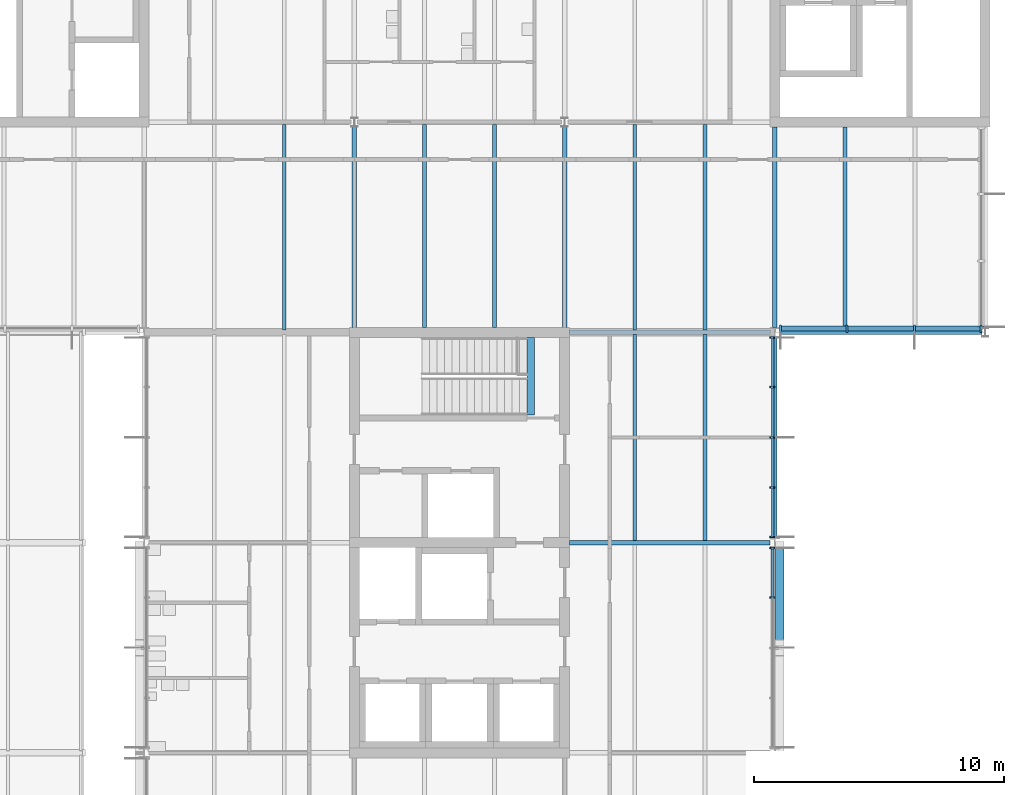
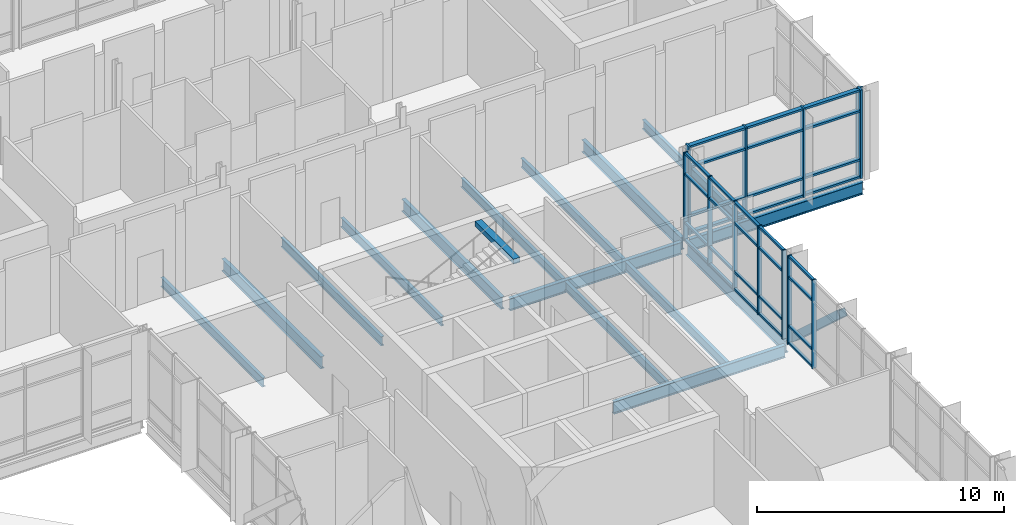
# One storey, part 20 of 76: 45 members, 16 beams, 4 elements without a shape of their own.
"""IFC4 building model written with IfcOpenShell, lengths in metres."""

from ifc_helpers import new_model, si_unit, direction, frame, origin, origin_2d, place, context, subcontext, project, spatial, rectangle, hollow_rectangle, i_section, extrude, material, material_profile, profile_set, type_object, element, aggregate, save


model = new_model("IFC4")

# Units and contexts
model_context = context("Model", 3, precision=1e-05, world=origin(), true_north=direction((0.0, 1.0)))
body_context = subcontext(model_context, "Body", "Model", "MODEL_VIEW")
ifc_project = project(units=[si_unit("LENGTHUNIT", "METRE"), si_unit("AREAUNIT", "SQUARE_METRE"), si_unit("VOLUMEUNIT", "CUBIC_METRE"), si_unit("PLANEANGLEUNIT", "RADIAN"), si_unit("MASSUNIT", "GRAM", prefix="KILO")], contexts=[model_context])

# Site, building, storey
site_placement = place(None, origin())
site = spatial("IfcSite", under=ifc_project, at=site_placement, CompositionType="ELEMENT")
building_placement = place(site_placement, origin())
building = spatial("IfcBuilding", under=site, at=building_placement, Name="Hlaing Beacon Police Headquarters", CompositionType="ELEMENT")
storey_placement = place(building_placement, frame((0.0, 0.0, 18.89990234375)))
storey = spatial("IfcBuildingStorey", under=building, at=storey_placement, Name="L04", CompositionType="ELEMENT", Elevation=18.89990234375)

# Member
ifc_material_1 = material(Name="Steel ASTM A500 Grade C", Category="steel")
ifc_material_profile_1 = material_profile(ifc_material_1, hollow_rectangle(XDim=0.355712890625, YDim=0.355712890625, WallThickness=0.015869140625, at=origin_2d()), Name="HSS14x14x5/8")
ifc_profile_set_1 = profile_set([ifc_material_profile_1], Name="Steel ASTM A500 Grade C")
member_type_1 = type_object("IfcMemberType", Name="Chevron brace HSS14x14x5/8", PredefinedType="BRACE", material=ifc_profile_set_1)
member_1_placement = place(storey_placement, frame((126.181884765625, 58.72705078125, 0.131103515625), z_axis=(0.0, -0.738446730342, 0.674311816927), x_axis=(1.0, 0.0, 0.0)))
element("IfcMember", 1, at=member_1_placement, inside=storey, type_object=member_type_1, Name="STR-BR-L04-R7b", PredefinedType="BRACE", context=body_context, shape_type="SweptSolid", body=[
    extrude(hollow_rectangle(XDim=0.355712890625, YDim=0.355712890625, WallThickness=0.015869140625, at=origin_2d()), origin(), (0.0, 0.0, 1.0), 5.31787109375),
])

# Beams
ifc_material_2 = material(Name="Steel ASTM A992 Grade 50", Category="steel")
ifc_material_profile_2 = material_profile(ifc_material_2, i_section(OverallWidth=0.177978515625, OverallDepth=0.599365234375, WebThickness=0.010009765625, FlangeThickness=0.012939453125, FilletRadius=0.012939453125, at=origin_2d()), Name="W24x55")
ifc_profile_set_2 = profile_set([ifc_material_profile_2], Name="Steel ASTM A992 Grade 50")
beam_type_1 = type_object("IfcBeamType", Name="Girder W24x55", PredefinedType="BEAM", material=ifc_profile_set_2)
beam_1_placement = place(storey_placement, frame((117.800048828125, 58.800048828125, -0.4296875), z_axis=(1.0, 0.0, 0.0), x_axis=(0.0, 1.0, 0.0)))
element("IfcBeam", 2, at=beam_1_placement, inside=storey, type_object=beam_type_1, Name="STR-BM-L04-GX-Q8-R8", PredefinedType="BEAM", context=body_context, shape_type="SweptSolid", body=[
    extrude(i_section(OverallWidth=0.177978515625, OverallDepth=0.599365234375, WebThickness=0.010009765625, FlangeThickness=0.012939453125, FilletRadius=0.012939453125, at=origin_2d()), origin(), (0.0, 0.0, 1.0), 8.001953125),
])
beam_2_placement = place(storey_placement, frame((117.800048828125, 67.199951171875, -0.4296875), z_axis=(1.0, 0.0, 0.0), x_axis=(0.0, 1.0, 0.0)))
element("IfcBeam", 3, at=beam_2_placement, inside=storey, type_object=beam_type_1, Name="STR-BM-L04-GX-Q9-R9", PredefinedType="BEAM", context=body_context, shape_type="SweptSolid", body=[
    extrude(i_section(OverallWidth=0.177978515625, OverallDepth=0.599365234375, WebThickness=0.010009765625, FlangeThickness=0.012939453125, FilletRadius=0.012939453125, at=origin_2d()), origin(), (0.0, 0.0, 1.0), 8.012939453125),
])
beam_3_placement = place(storey_placement, frame((126.18701171875, 67.199951171875, -0.4296875), z_axis=(1.0, 0.0, 0.0), x_axis=(0.0, 1.0, 0.0)))
element("IfcBeam", 4, at=beam_3_placement, inside=storey, type_object=beam_type_1, Name="STR-BM-L04-GX-R9-S9", PredefinedType="BEAM", context=body_context, shape_type="SweptSolid", body=[
    extrude(i_section(OverallWidth=0.177978515625, OverallDepth=0.599365234375, WebThickness=0.010009765625, FlangeThickness=0.012939453125, FilletRadius=0.012939453125, at=origin_2d()), origin(), (0.0, 0.0, 1.0), 8.0859375),
])
for number, where, z_axis, x_axis, name in (
    (5, (109.199951171875, 67.39990234375, -0.4296875), (0.0, 1.0, 0.0), (-1.0, 0.0, 0.0), "STR-BM-L04-GY-P9-P10"),
    (6, (117.60009765625, 67.39990234375, -0.4296875), (0.0, 1.0, 0.0), (-1.0, 0.0, 0.0), "STR-BM-L04-GY-Q9-Q10"),
):
    element("IfcBeam", number, at=place(storey_placement, frame(where, z_axis=z_axis, x_axis=x_axis)), inside=storey, type_object=beam_type_1, Name=name, PredefinedType="BEAM", context=body_context, shape_type="SweptSolid", body=[
        extrude(i_section(OverallWidth=0.177978515625, OverallDepth=0.599365234375, WebThickness=0.010009765625, FlangeThickness=0.012939453125, FilletRadius=0.012939453125, at=origin_2d()), origin(), (0.0, 0.0, 1.0), 8.01806640625),
    ])
beam_4_placement = place(storey_placement, frame((126.0, 58.989990234375, -0.4296875), z_axis=(0.0, 1.0, 0.0), x_axis=(-1.0, 0.0, 0.0)))
element("IfcBeam", 7, at=beam_4_placement, inside=storey, type_object=beam_type_1, Name="STR-BM-L04-GY-R8-R9", PredefinedType="BEAM", context=body_context, shape_type="SweptSolid", body=[
    extrude(i_section(OverallWidth=0.177978515625, OverallDepth=0.599365234375, WebThickness=0.010009765625, FlangeThickness=0.012939453125, FilletRadius=0.012939453125, at=origin_2d()), origin(), (0.0, 0.0, 1.0), 8.02294921875),
])
beam_5_placement = place(storey_placement, frame((126.0, 67.386962890625, -0.4296875), z_axis=(0.0, 1.0, 0.0), x_axis=(-1.0, 0.0, 0.0)))
element("IfcBeam", 8, at=beam_5_placement, inside=storey, type_object=beam_type_1, Name="STR-BM-L04-GY-R9-R10", PredefinedType="BEAM", context=body_context, shape_type="SweptSolid", body=[
    extrude(i_section(OverallWidth=0.177978515625, OverallDepth=0.599365234375, WebThickness=0.010009765625, FlangeThickness=0.012939453125, FilletRadius=0.012939453125, at=origin_2d()), origin(), (0.0, 0.0, 1.0), 8.012939453125),
])

# Curtain wall, members
ifc_material_3 = material(Name="Aluminium frame with solar control glazing", Category="aluminium")
curtain_wall_type_1 = type_object("IfcCurtainWallType", Name="Unitised curtain wall 8.02 x 4.37", PredefinedType="NOTDEFINED", material=ifc_material_3)
curtain_wall_1_placement = place(storey_placement, origin())
curtain_wall_1 = element("IfcCurtainWall", 9, at=curtain_wall_1_placement, inside=storey, type_object=curtain_wall_type_1, Name="ENV-CW-L04-E006", PredefinedType="NOTDEFINED")
ifc_material_4 = material(Name="Aluminium", Category="aluminium")
ifc_material_profile_3 = material_profile(ifc_material_4, rectangle(XDim=0.199951171875, YDim=0.06005859375, at=origin_2d()), Name="Mullion 60x200")
ifc_profile_set_3 = profile_set([ifc_material_profile_3], Name="Aluminium")
member_type_2 = type_object("IfcMemberType", Name="Mullion 60x200", PredefinedType="MULLION", material=ifc_profile_set_3)
member_2_placement = place(storey_placement, frame((125.89990234375, 56.60595703125, 0.0), z_axis=(0.0, 0.0, 1.0), x_axis=(-1.0, 0.0, 0.0)))
member_2 = element("IfcMember", 10, at=member_2_placement, type_object=member_type_2, Name="CW-L04-E006 mullion 4", PredefinedType="MULLION", context=body_context, shape_type="SweptSolid", body=[
    extrude(rectangle(XDim=0.199951171875, YDim=0.06005859375, at=origin_2d()), origin(), (0.0, 0.0, 1.0), 4.3701171875),
])
member_3_placement = place(storey_placement, frame((125.89990234375, 58.58203125, 0.0), z_axis=(0.0, 0.0, 1.0), x_axis=(-1.0, 0.0, 0.0)))
member_3 = element("IfcMember", 11, at=member_3_placement, type_object=member_type_2, Name="CW-L04-E006 mullion 5", PredefinedType="MULLION", context=body_context, shape_type="SweptSolid", body=[
    extrude(rectangle(XDim=0.199951171875, YDim=0.06005859375, at=origin_2d()), origin(), (0.0, 0.0, 1.0), 4.3701171875),
])

ifc_material_5 = material(Name="Aluminium frame with solar control glazing", Category="aluminium")
curtain_wall_type_2 = type_object("IfcCurtainWallType", Name="Unitised curtain wall 8.03 x 4.37", PredefinedType="NOTDEFINED", material=ifc_material_5)
curtain_wall_2_placement = place(storey_placement, origin())
curtain_wall_2 = element("IfcCurtainWall", 12, at=curtain_wall_2_placement, inside=storey, type_object=curtain_wall_type_2, Name="ENV-CW-L04-E007", PredefinedType="NOTDEFINED")
member_4_placement = place(storey_placement, frame((125.89990234375, 59.01806640625, 0.0), z_axis=(0.0, 0.0, 1.0), x_axis=(-1.0, 0.0, 0.0)))
member_4 = element("IfcMember", 13, at=member_4_placement, type_object=member_type_2, Name="CW-L04-E007 mullion 1", PredefinedType="MULLION", context=body_context, shape_type="SweptSolid", body=[
    extrude(rectangle(XDim=0.199951171875, YDim=0.06005859375, at=origin_2d()), origin(), (0.0, 0.0, 1.0), 4.3701171875),
])
member_5_placement = place(storey_placement, frame((125.89990234375, 60.994873046875, 0.0), z_axis=(0.0, 0.0, 1.0), x_axis=(-1.0, 0.0, 0.0)))
member_5 = element("IfcMember", 14, at=member_5_placement, type_object=member_type_2, Name="CW-L04-E007 mullion 2", PredefinedType="MULLION", context=body_context, shape_type="SweptSolid", body=[
    extrude(rectangle(XDim=0.199951171875, YDim=0.06005859375, at=origin_2d()), origin(), (0.0, 0.0, 1.0), 4.3701171875),
])
member_6_placement = place(storey_placement, frame((125.89990234375, 63.001953125, 0.0), z_axis=(0.0, 0.0, 1.0), x_axis=(-1.0, 0.0, 0.0)))
member_6 = element("IfcMember", 15, at=member_6_placement, type_object=member_type_2, Name="CW-L04-E007 mullion 3", PredefinedType="MULLION", context=body_context, shape_type="SweptSolid", body=[
    extrude(rectangle(XDim=0.199951171875, YDim=0.06005859375, at=origin_2d()), origin(), (0.0, 0.0, 1.0), 4.3701171875),
])
member_7_placement = place(storey_placement, frame((125.89990234375, 65.009033203125, 0.0), z_axis=(0.0, 0.0, 1.0), x_axis=(-1.0, 0.0, 0.0)))
member_7 = element("IfcMember", 16, at=member_7_placement, type_object=member_type_2, Name="CW-L04-E007 mullion 4", PredefinedType="MULLION", context=body_context, shape_type="SweptSolid", body=[
    extrude(rectangle(XDim=0.199951171875, YDim=0.06005859375, at=origin_2d()), origin(), (0.0, 0.0, 1.0), 4.3701171875),
])
member_8_placement = place(storey_placement, frame((125.89990234375, 66.98583984375, 0.0), z_axis=(0.0, 0.0, 1.0), x_axis=(-1.0, 0.0, 0.0)))
member_8 = element("IfcMember", 17, at=member_8_placement, type_object=member_type_2, Name="CW-L04-E007 mullion 5", PredefinedType="MULLION", context=body_context, shape_type="SweptSolid", body=[
    extrude(rectangle(XDim=0.199951171875, YDim=0.06005859375, at=origin_2d()), origin(), (0.0, 0.0, 1.0), 4.3701171875),
])

ifc_material_6 = material(Name="Aluminium frame with solar control glazing", Category="aluminium")
curtain_wall_type_3 = type_object("IfcCurtainWallType", Name="Structural glazed gable wall 8.09 x 4.37", PredefinedType="NOTDEFINED", material=ifc_material_6)
curtain_wall_3_placement = place(storey_placement, origin())
curtain_wall_3 = element("IfcCurtainWall", 18, at=curtain_wall_3_placement, inside=storey, type_object=curtain_wall_type_3, Name="ENV-CW-L04-S008", PredefinedType="NOTDEFINED")
ifc_material_7 = material(Name="Aluminium", Category="aluminium")
ifc_material_profile_4 = material_profile(ifc_material_7, rectangle(XDim=0.300048828125, YDim=0.080078125, at=origin_2d()), Name="Mullion 80x300")
ifc_profile_set_4 = profile_set([ifc_material_profile_4], Name="Aluminium")
member_type_3 = type_object("IfcMemberType", Name="Mullion 80x300", PredefinedType="MULLION", material=ifc_profile_set_4)
member_9_placement = place(storey_placement, frame((126.226806640625, 67.35009765625, 0.0), z_axis=(0.0, 0.0, 1.0), x_axis=(0.0, 1.0, 0.0)))
member_9 = element("IfcMember", 19, at=member_9_placement, type_object=member_type_3, Name="CW-L04-S008 mullion 1", PredefinedType="MULLION", context=body_context, shape_type="SweptSolid", body=[
    extrude(rectangle(XDim=0.300048828125, YDim=0.080078125, at=origin_2d()), origin(), (0.0, 0.0, 1.0), 4.3701171875),
])
member_10_placement = place(storey_placement, frame((128.882080078125, 67.35009765625, 0.0), z_axis=(0.0, 0.0, 1.0), x_axis=(0.0, 1.0, 0.0)))
member_10 = element("IfcMember", 20, at=member_10_placement, type_object=member_type_3, Name="CW-L04-S008 mullion 2", PredefinedType="MULLION", context=body_context, shape_type="SweptSolid", body=[
    extrude(rectangle(XDim=0.300048828125, YDim=0.080078125, at=origin_2d()), origin(), (0.0, 0.0, 1.0), 4.3701171875),
])
member_11_placement = place(storey_placement, frame((131.57763671875, 67.35009765625, 0.0), z_axis=(0.0, 0.0, 1.0), x_axis=(0.0, 1.0, 0.0)))
member_11 = element("IfcMember", 21, at=member_11_placement, type_object=member_type_3, Name="CW-L04-S008 mullion 3", PredefinedType="MULLION", context=body_context, shape_type="SweptSolid", body=[
    extrude(rectangle(XDim=0.300048828125, YDim=0.080078125, at=origin_2d()), origin(), (0.0, 0.0, 1.0), 4.3701171875),
])
member_12_placement = place(storey_placement, frame((134.23291015625, 67.35009765625, 0.0), z_axis=(0.0, 0.0, 1.0), x_axis=(0.0, 1.0, 0.0)))
member_12 = element("IfcMember", 22, at=member_12_placement, type_object=member_type_3, Name="CW-L04-S008 mullion 4", PredefinedType="MULLION", context=body_context, shape_type="SweptSolid", body=[
    extrude(rectangle(XDim=0.300048828125, YDim=0.080078125, at=origin_2d()), origin(), (0.0, 0.0, 1.0), 4.3701171875),
])

# Curtain wall, member
ifc_material_8 = material(Name="Aluminium frame with solar control glazing", Category="aluminium")
curtain_wall_type_4 = type_object("IfcCurtainWallType", Name="Structural glazed gable wall 8.02 x 4.37", PredefinedType="NOTDEFINED", material=ifc_material_8)
curtain_wall_4_placement = place(storey_placement, origin())
curtain_wall_4 = element("IfcCurtainWall", 23, at=curtain_wall_4_placement, inside=storey, type_object=curtain_wall_type_4, Name="ENV-CW-L04-E009", PredefinedType="NOTDEFINED")
member_13_placement = place(storey_placement, frame((134.25, 67.41650390625, 0.0), z_axis=(0.0, 0.0, 1.0), x_axis=(-1.0, 0.0, 0.0)))
member_13 = element("IfcMember", 24, at=member_13_placement, type_object=member_type_3, Name="CW-L04-E009 mullion 1", PredefinedType="MULLION", context=body_context, shape_type="SweptSolid", body=[
    extrude(rectangle(XDim=0.300048828125, YDim=0.080078125, at=origin_2d()), origin(), (0.0, 0.0, 1.0), 4.3701171875),
])
aggregate(curtain_wall_4, [member_13])

# Beams
ifc_material_9 = material(Name="Steel ASTM A992 Grade 50", Category="steel")
ifc_material_profile_5 = material_profile(ifc_material_9, i_section(OverallWidth=0.15234375, OverallDepth=0.449462890625, WebThickness=0.007568359375, FlangeThickness=0.0107421875, FilletRadius=0.01025390625, at=origin_2d()), Name="W18x35")
ifc_profile_set_5 = profile_set([ifc_material_profile_5], Name="Steel ASTM A992 Grade 50")
beam_type_2 = type_object("IfcBeamType", Name="Secondary beam W18x35", PredefinedType="BEAM", material=ifc_profile_set_5)
beam_6_placement = place(storey_placement, frame((106.39990234375, 67.2890625, -0.354736328125), z_axis=(0.0, 1.0, 0.0), x_axis=(-1.0, 0.0, 0.0)))
element("IfcBeam", 25, at=beam_6_placement, inside=storey, type_object=beam_type_2, Name="STR-BM-L04-SB-N9-y2", PredefinedType="BEAM", context=body_context, shape_type="SweptSolid", body=[
    extrude(i_section(OverallWidth=0.15234375, OverallDepth=0.449462890625, WebThickness=0.007568359375, FlangeThickness=0.0107421875, FilletRadius=0.01025390625, at=origin_2d()), origin(), (0.0, 0.0, 1.0), 8.221923828125),
])
for number, where, z_axis, x_axis, name in (
    (26, (112.0, 67.39990234375, -0.354736328125), (0.0, 1.0, 0.0), (-1.0, 0.0, 0.0), "STR-BM-L04-SB-P9-y1"),
    (27, (114.800048828125, 67.39990234375, -0.354736328125), (0.0, 1.0, 0.0), (-1.0, 0.0, 0.0), "STR-BM-L04-SB-P9-y2"),
):
    element("IfcBeam", number, at=place(storey_placement, frame(where, z_axis=z_axis, x_axis=x_axis)), inside=storey, type_object=beam_type_2, Name=name, PredefinedType="BEAM", context=body_context, shape_type="SweptSolid", body=[
        extrude(i_section(OverallWidth=0.15234375, OverallDepth=0.449462890625, WebThickness=0.007568359375, FlangeThickness=0.0107421875, FilletRadius=0.01025390625, at=origin_2d()), origin(), (0.0, 0.0, 1.0), 8.111083984375),
    ])
for number, where, z_axis, x_axis, name in (
    (28, (120.39990234375, 58.888916015625, -0.354736328125), (0.0, 1.0, 0.0), (-1.0, 0.0, 0.0), "STR-BM-L04-SB-Q8-y1"),
    (29, (123.199951171875, 58.888916015625, -0.354736328125), (0.0, 1.0, 0.0), (-1.0, 0.0, 0.0), "STR-BM-L04-SB-Q8-y2"),
):
    element("IfcBeam", number, at=place(storey_placement, frame(where, z_axis=z_axis, x_axis=x_axis)), inside=storey, type_object=beam_type_2, Name=name, PredefinedType="BEAM", context=body_context, shape_type="SweptSolid", body=[
        extrude(i_section(OverallWidth=0.15234375, OverallDepth=0.449462890625, WebThickness=0.007568359375, FlangeThickness=0.0107421875, FilletRadius=0.01025390625, at=origin_2d()), origin(), (0.0, 0.0, 1.0), 8.22216796875),
    ])
for number, where, z_axis, x_axis, name in (
    (30, (120.39990234375, 67.2890625, -0.354736328125), (0.0, 1.0, 0.0), (-1.0, 0.0, 0.0), "STR-BM-L04-SB-Q9-y1"),
    (31, (123.199951171875, 67.2890625, -0.354736328125), (0.0, 1.0, 0.0), (-1.0, 0.0, 0.0), "STR-BM-L04-SB-Q9-y2"),
):
    element("IfcBeam", number, at=place(storey_placement, frame(where, z_axis=z_axis, x_axis=x_axis)), inside=storey, type_object=beam_type_2, Name=name, PredefinedType="BEAM", context=body_context, shape_type="SweptSolid", body=[
        extrude(i_section(OverallWidth=0.15234375, OverallDepth=0.449462890625, WebThickness=0.007568359375, FlangeThickness=0.0107421875, FilletRadius=0.01025390625, at=origin_2d()), origin(), (0.0, 0.0, 1.0), 8.221923828125),
    ])
beam_7_placement = place(storey_placement, frame((128.800048828125, 67.2890625, -0.354736328125), z_axis=(0.0, 1.0, 0.0), x_axis=(-1.0, 0.0, 0.0)))
element("IfcBeam", 32, at=beam_7_placement, inside=storey, type_object=beam_type_2, Name="STR-BM-L04-SB-R9-y1", PredefinedType="BEAM", context=body_context, shape_type="SweptSolid", body=[
    extrude(i_section(OverallWidth=0.15234375, OverallDepth=0.449462890625, WebThickness=0.007568359375, FlangeThickness=0.0107421875, FilletRadius=0.01025390625, at=origin_2d()), origin(), (0.0, 0.0, 1.0), 8.11083984375),
])
ifc_material_10 = material(Name="Concrete C40/50", Category="concrete")
ifc_material_profile_6 = material_profile(ifc_material_10, rectangle(XDim=0.300048828125, YDim=0.25, at=origin_2d()), Name="Stair arrival beam 300x250")
ifc_profile_set_6 = profile_set([ifc_material_profile_6], Name="Concrete C40/50")
beam_type_3 = type_object("IfcBeamType", Name="Stair arrival beam 300x250", PredefinedType="BEAM", material=ifc_profile_set_6)
beam_8_placement = place(storey_placement, frame((116.239990234375, 67.0, 4.2451171875), z_axis=(0.0, -1.0, 0.0), x_axis=(1.0, 0.0, 0.0)))
element("IfcBeam", 33, at=beam_8_placement, inside=storey, type_object=beam_type_3, Name="Stair arrival beam ST-M", PredefinedType="BEAM", context=body_context, shape_type="SweptSolid", body=[
    extrude(rectangle(XDim=0.300048828125, YDim=0.25, at=origin_2d()), origin(), (0.0, 0.0, 1.0), 3.10009765625),
])

# Member
ifc_material_11 = material(Name="Aluminium", Category="aluminium")
ifc_material_profile_7 = material_profile(ifc_material_11, rectangle(XDim=0.1201171875, YDim=0.10009765625, at=origin_2d()), Name="Transom 120x100")
ifc_profile_set_7 = profile_set([ifc_material_profile_7], Name="Aluminium")
member_type_4 = type_object("IfcMemberType", Name="Transom 120x100", PredefinedType="USERDEFINED", material=ifc_profile_set_7)
member_14_placement = place(storey_placement, frame((125.89990234375, 56.635986328125, 0.050048828125), z_axis=(0.0, 1.0, 0.0), x_axis=(-1.0, 0.0, 0.0)))
member_14 = element("IfcMember", 34, at=member_14_placement, type_object=member_type_4, Name="CW-L04-E006 transom 4.1", ObjectType="TRANSOM", PredefinedType="USERDEFINED", context=body_context, shape_type="SweptSolid", body=[
    extrude(rectangle(XDim=0.1201171875, YDim=0.10009765625, at=origin_2d()), origin(), (0.0, 0.0, 1.0), 1.916015625),
])

member_15_placement = place(storey_placement, frame((125.89990234375, 56.635986328125, 0.900146484375), z_axis=(0.0, 1.0, 0.0), x_axis=(-1.0, 0.0, 0.0)))
member_15 = element("IfcMember", 35, at=member_15_placement, type_object=member_type_4, Name="CW-L04-E006 transom 4.2", ObjectType="TRANSOM", PredefinedType="USERDEFINED", context=body_context, shape_type="SweptSolid", body=[
    extrude(rectangle(XDim=0.1201171875, YDim=0.10009765625, at=origin_2d()), origin(), (0.0, 0.0, 1.0), 1.916015625),
])

member_16_placement = place(storey_placement, frame((125.89990234375, 56.635986328125, 3.300048828125), z_axis=(0.0, 1.0, 0.0), x_axis=(-1.0, 0.0, 0.0)))
member_16 = element("IfcMember", 36, at=member_16_placement, type_object=member_type_4, Name="CW-L04-E006 transom 4.3", ObjectType="TRANSOM", PredefinedType="USERDEFINED", context=body_context, shape_type="SweptSolid", body=[
    extrude(rectangle(XDim=0.1201171875, YDim=0.10009765625, at=origin_2d()), origin(), (0.0, 0.0, 1.0), 1.916015625),
])

member_17_placement = place(storey_placement, frame((125.89990234375, 56.635986328125, 4.320068359375), z_axis=(0.0, 1.0, 0.0), x_axis=(-1.0, 0.0, 0.0)))
member_17 = element("IfcMember", 37, at=member_17_placement, type_object=member_type_4, Name="CW-L04-E006 transom 4.4", ObjectType="TRANSOM", PredefinedType="USERDEFINED", context=body_context, shape_type="SweptSolid", body=[
    extrude(rectangle(XDim=0.1201171875, YDim=0.10009765625, at=origin_2d()), origin(), (0.0, 0.0, 1.0), 1.916015625),
])

aggregate(curtain_wall_1, [member_2, member_3, member_14, member_15, member_16, member_17])

member_18_placement = place(storey_placement, frame((125.89990234375, 59.048095703125, 0.050048828125), z_axis=(0.0, 1.0, 0.0), x_axis=(-1.0, 0.0, 0.0)))
member_18 = element("IfcMember", 38, at=member_18_placement, type_object=member_type_4, Name="CW-L04-E007 transom 1.1", ObjectType="TRANSOM", PredefinedType="USERDEFINED", context=body_context, shape_type="SweptSolid", body=[
    extrude(rectangle(XDim=0.1201171875, YDim=0.10009765625, at=origin_2d()), origin(), (0.0, 0.0, 1.0), 1.9169921875),
])

member_19_placement = place(storey_placement, frame((125.89990234375, 59.048095703125, 0.900146484375), z_axis=(0.0, 1.0, 0.0), x_axis=(-1.0, 0.0, 0.0)))
member_19 = element("IfcMember", 39, at=member_19_placement, type_object=member_type_4, Name="CW-L04-E007 transom 1.2", ObjectType="TRANSOM", PredefinedType="USERDEFINED", context=body_context, shape_type="SweptSolid", body=[
    extrude(rectangle(XDim=0.1201171875, YDim=0.10009765625, at=origin_2d()), origin(), (0.0, 0.0, 1.0), 1.9169921875),
])

member_20_placement = place(storey_placement, frame((125.89990234375, 59.048095703125, 3.300048828125), z_axis=(0.0, 1.0, 0.0), x_axis=(-1.0, 0.0, 0.0)))
member_20 = element("IfcMember", 40, at=member_20_placement, type_object=member_type_4, Name="CW-L04-E007 transom 1.3", ObjectType="TRANSOM", PredefinedType="USERDEFINED", context=body_context, shape_type="SweptSolid", body=[
    extrude(rectangle(XDim=0.1201171875, YDim=0.10009765625, at=origin_2d()), origin(), (0.0, 0.0, 1.0), 1.9169921875),
])

member_21_placement = place(storey_placement, frame((125.89990234375, 59.048095703125, 4.320068359375), z_axis=(0.0, 1.0, 0.0), x_axis=(-1.0, 0.0, 0.0)))
member_21 = element("IfcMember", 41, at=member_21_placement, type_object=member_type_4, Name="CW-L04-E007 transom 1.4", ObjectType="TRANSOM", PredefinedType="USERDEFINED", context=body_context, shape_type="SweptSolid", body=[
    extrude(rectangle(XDim=0.1201171875, YDim=0.10009765625, at=origin_2d()), origin(), (0.0, 0.0, 1.0), 1.9169921875),
])

member_22_placement = place(storey_placement, frame((125.89990234375, 61.02490234375, 0.050048828125), z_axis=(0.0, 1.0, 0.0), x_axis=(-1.0, 0.0, 0.0)))
member_22 = element("IfcMember", 42, at=member_22_placement, type_object=member_type_4, Name="CW-L04-E007 transom 2.1", ObjectType="TRANSOM", PredefinedType="USERDEFINED", context=body_context, shape_type="SweptSolid", body=[
    extrude(rectangle(XDim=0.1201171875, YDim=0.10009765625, at=origin_2d()), origin(), (0.0, 0.0, 1.0), 1.947021484375),
])

member_23_placement = place(storey_placement, frame((125.89990234375, 61.02490234375, 0.900146484375), z_axis=(0.0, 1.0, 0.0), x_axis=(-1.0, 0.0, 0.0)))
member_23 = element("IfcMember", 43, at=member_23_placement, type_object=member_type_4, Name="CW-L04-E007 transom 2.2", ObjectType="TRANSOM", PredefinedType="USERDEFINED", context=body_context, shape_type="SweptSolid", body=[
    extrude(rectangle(XDim=0.1201171875, YDim=0.10009765625, at=origin_2d()), origin(), (0.0, 0.0, 1.0), 1.947021484375),
])

member_24_placement = place(storey_placement, frame((125.89990234375, 61.02490234375, 3.300048828125), z_axis=(0.0, 1.0, 0.0), x_axis=(-1.0, 0.0, 0.0)))
member_24 = element("IfcMember", 44, at=member_24_placement, type_object=member_type_4, Name="CW-L04-E007 transom 2.3", ObjectType="TRANSOM", PredefinedType="USERDEFINED", context=body_context, shape_type="SweptSolid", body=[
    extrude(rectangle(XDim=0.1201171875, YDim=0.10009765625, at=origin_2d()), origin(), (0.0, 0.0, 1.0), 1.947021484375),
])

member_25_placement = place(storey_placement, frame((125.89990234375, 61.02490234375, 4.320068359375), z_axis=(0.0, 1.0, 0.0), x_axis=(-1.0, 0.0, 0.0)))
member_25 = element("IfcMember", 45, at=member_25_placement, type_object=member_type_4, Name="CW-L04-E007 transom 2.4", ObjectType="TRANSOM", PredefinedType="USERDEFINED", context=body_context, shape_type="SweptSolid", body=[
    extrude(rectangle(XDim=0.1201171875, YDim=0.10009765625, at=origin_2d()), origin(), (0.0, 0.0, 1.0), 1.947021484375),
])

member_26_placement = place(storey_placement, frame((125.89990234375, 63.031982421875, 0.050048828125), z_axis=(0.0, 1.0, 0.0), x_axis=(-1.0, 0.0, 0.0)))
member_26 = element("IfcMember", 46, at=member_26_placement, type_object=member_type_4, Name="CW-L04-E007 transom 3.1", ObjectType="TRANSOM", PredefinedType="USERDEFINED", context=body_context, shape_type="SweptSolid", body=[
    extrude(rectangle(XDim=0.1201171875, YDim=0.10009765625, at=origin_2d()), origin(), (0.0, 0.0, 1.0), 1.947021484375),
])

member_27_placement = place(storey_placement, frame((125.89990234375, 63.031982421875, 0.900146484375), z_axis=(0.0, 1.0, 0.0), x_axis=(-1.0, 0.0, 0.0)))
member_27 = element("IfcMember", 47, at=member_27_placement, type_object=member_type_4, Name="CW-L04-E007 transom 3.2", ObjectType="TRANSOM", PredefinedType="USERDEFINED", context=body_context, shape_type="SweptSolid", body=[
    extrude(rectangle(XDim=0.1201171875, YDim=0.10009765625, at=origin_2d()), origin(), (0.0, 0.0, 1.0), 1.947021484375),
])

member_28_placement = place(storey_placement, frame((125.89990234375, 63.031982421875, 3.300048828125), z_axis=(0.0, 1.0, 0.0), x_axis=(-1.0, 0.0, 0.0)))
member_28 = element("IfcMember", 48, at=member_28_placement, type_object=member_type_4, Name="CW-L04-E007 transom 3.3", ObjectType="TRANSOM", PredefinedType="USERDEFINED", context=body_context, shape_type="SweptSolid", body=[
    extrude(rectangle(XDim=0.1201171875, YDim=0.10009765625, at=origin_2d()), origin(), (0.0, 0.0, 1.0), 1.947021484375),
])

member_29_placement = place(storey_placement, frame((125.89990234375, 63.031982421875, 4.320068359375), z_axis=(0.0, 1.0, 0.0), x_axis=(-1.0, 0.0, 0.0)))
member_29 = element("IfcMember", 49, at=member_29_placement, type_object=member_type_4, Name="CW-L04-E007 transom 3.4", ObjectType="TRANSOM", PredefinedType="USERDEFINED", context=body_context, shape_type="SweptSolid", body=[
    extrude(rectangle(XDim=0.1201171875, YDim=0.10009765625, at=origin_2d()), origin(), (0.0, 0.0, 1.0), 1.947021484375),
])

member_30_placement = place(storey_placement, frame((125.89990234375, 65.038818359375, 0.050048828125), z_axis=(0.0, 1.0, 0.0), x_axis=(-1.0, 0.0, 0.0)))
member_30 = element("IfcMember", 50, at=member_30_placement, type_object=member_type_4, Name="CW-L04-E007 transom 4.1", ObjectType="TRANSOM", PredefinedType="USERDEFINED", context=body_context, shape_type="SweptSolid", body=[
    extrude(rectangle(XDim=0.1201171875, YDim=0.10009765625, at=origin_2d()), origin(), (0.0, 0.0, 1.0), 1.9169921875),
])

member_31_placement = place(storey_placement, frame((125.89990234375, 65.038818359375, 0.900146484375), z_axis=(0.0, 1.0, 0.0), x_axis=(-1.0, 0.0, 0.0)))
member_31 = element("IfcMember", 51, at=member_31_placement, type_object=member_type_4, Name="CW-L04-E007 transom 4.2", ObjectType="TRANSOM", PredefinedType="USERDEFINED", context=body_context, shape_type="SweptSolid", body=[
    extrude(rectangle(XDim=0.1201171875, YDim=0.10009765625, at=origin_2d()), origin(), (0.0, 0.0, 1.0), 1.9169921875),
])

member_32_placement = place(storey_placement, frame((125.89990234375, 65.038818359375, 3.300048828125), z_axis=(0.0, 1.0, 0.0), x_axis=(-1.0, 0.0, 0.0)))
member_32 = element("IfcMember", 52, at=member_32_placement, type_object=member_type_4, Name="CW-L04-E007 transom 4.3", ObjectType="TRANSOM", PredefinedType="USERDEFINED", context=body_context, shape_type="SweptSolid", body=[
    extrude(rectangle(XDim=0.1201171875, YDim=0.10009765625, at=origin_2d()), origin(), (0.0, 0.0, 1.0), 1.9169921875),
])

member_33_placement = place(storey_placement, frame((125.89990234375, 65.038818359375, 4.320068359375), z_axis=(0.0, 1.0, 0.0), x_axis=(-1.0, 0.0, 0.0)))
member_33 = element("IfcMember", 53, at=member_33_placement, type_object=member_type_4, Name="CW-L04-E007 transom 4.4", ObjectType="TRANSOM", PredefinedType="USERDEFINED", context=body_context, shape_type="SweptSolid", body=[
    extrude(rectangle(XDim=0.1201171875, YDim=0.10009765625, at=origin_2d()), origin(), (0.0, 0.0, 1.0), 1.9169921875),
])

aggregate(curtain_wall_2, [member_4, member_5, member_6, member_7, member_8, member_18, member_19, member_20, member_21, member_22, member_23, member_24, member_25, member_26, member_27, member_28, member_29, member_30, member_31, member_32, member_33])

ifc_material_12 = material(Name="Aluminium", Category="aluminium")
ifc_material_profile_8 = material_profile(ifc_material_12, rectangle(XDim=0.199951171875, YDim=0.10009765625, at=origin_2d()), Name="Transom 200x100")
ifc_profile_set_8 = profile_set([ifc_material_profile_8], Name="Aluminium")
member_type_5 = type_object("IfcMemberType", Name="Transom 200x100", PredefinedType="USERDEFINED", material=ifc_profile_set_8)
member_34_placement = place(storey_placement, frame((126.2666015625, 67.35009765625, 0.050048828125), z_axis=(1.0, 0.0, 0.0), x_axis=(0.0, 1.0, 0.0)))
member_34 = element("IfcMember", 54, at=member_34_placement, type_object=member_type_5, Name="CW-L04-S008 transom 1.1", ObjectType="TRANSOM", PredefinedType="USERDEFINED", context=body_context, shape_type="SweptSolid", body=[
    extrude(rectangle(XDim=0.199951171875, YDim=0.10009765625, at=origin_2d()), origin(), (0.0, 0.0, 1.0), 2.575439453125),
])

member_35_placement = place(storey_placement, frame((126.2666015625, 67.35009765625, 0.900146484375), z_axis=(1.0, 0.0, 0.0), x_axis=(0.0, 1.0, 0.0)))
member_35 = element("IfcMember", 55, at=member_35_placement, type_object=member_type_5, Name="CW-L04-S008 transom 1.2", ObjectType="TRANSOM", PredefinedType="USERDEFINED", context=body_context, shape_type="SweptSolid", body=[
    extrude(rectangle(XDim=0.199951171875, YDim=0.10009765625, at=origin_2d()), origin(), (0.0, 0.0, 1.0), 2.575439453125),
])

member_36_placement = place(storey_placement, frame((126.2666015625, 67.35009765625, 3.300048828125), z_axis=(1.0, 0.0, 0.0), x_axis=(0.0, 1.0, 0.0)))
member_36 = element("IfcMember", 56, at=member_36_placement, type_object=member_type_5, Name="CW-L04-S008 transom 1.3", ObjectType="TRANSOM", PredefinedType="USERDEFINED", context=body_context, shape_type="SweptSolid", body=[
    extrude(rectangle(XDim=0.199951171875, YDim=0.10009765625, at=origin_2d()), origin(), (0.0, 0.0, 1.0), 2.575439453125),
])

member_37_placement = place(storey_placement, frame((126.2666015625, 67.35009765625, 4.320068359375), z_axis=(1.0, 0.0, 0.0), x_axis=(0.0, 1.0, 0.0)))
member_37 = element("IfcMember", 57, at=member_37_placement, type_object=member_type_5, Name="CW-L04-S008 transom 1.4", ObjectType="TRANSOM", PredefinedType="USERDEFINED", context=body_context, shape_type="SweptSolid", body=[
    extrude(rectangle(XDim=0.199951171875, YDim=0.10009765625, at=origin_2d()), origin(), (0.0, 0.0, 1.0), 2.575439453125),
])

member_38_placement = place(storey_placement, frame((128.922119140625, 67.35009765625, 0.050048828125), z_axis=(1.0, 0.0, 0.0), x_axis=(0.0, 1.0, 0.0)))
member_38 = element("IfcMember", 58, at=member_38_placement, type_object=member_type_5, Name="CW-L04-S008 transom 2.1", ObjectType="TRANSOM", PredefinedType="USERDEFINED", context=body_context, shape_type="SweptSolid", body=[
    extrude(rectangle(XDim=0.199951171875, YDim=0.10009765625, at=origin_2d()), origin(), (0.0, 0.0, 1.0), 2.615478515625),
])

member_39_placement = place(storey_placement, frame((128.922119140625, 67.35009765625, 0.900146484375), z_axis=(1.0, 0.0, 0.0), x_axis=(0.0, 1.0, 0.0)))
member_39 = element("IfcMember", 59, at=member_39_placement, type_object=member_type_5, Name="CW-L04-S008 transom 2.2", ObjectType="TRANSOM", PredefinedType="USERDEFINED", context=body_context, shape_type="SweptSolid", body=[
    extrude(rectangle(XDim=0.199951171875, YDim=0.10009765625, at=origin_2d()), origin(), (0.0, 0.0, 1.0), 2.615478515625),
])

member_40_placement = place(storey_placement, frame((128.922119140625, 67.35009765625, 3.300048828125), z_axis=(1.0, 0.0, 0.0), x_axis=(0.0, 1.0, 0.0)))
member_40 = element("IfcMember", 60, at=member_40_placement, type_object=member_type_5, Name="CW-L04-S008 transom 2.3", ObjectType="TRANSOM", PredefinedType="USERDEFINED", context=body_context, shape_type="SweptSolid", body=[
    extrude(rectangle(XDim=0.199951171875, YDim=0.10009765625, at=origin_2d()), origin(), (0.0, 0.0, 1.0), 2.615478515625),
])

member_41_placement = place(storey_placement, frame((128.922119140625, 67.35009765625, 4.320068359375), z_axis=(1.0, 0.0, 0.0), x_axis=(0.0, 1.0, 0.0)))
member_41 = element("IfcMember", 61, at=member_41_placement, type_object=member_type_5, Name="CW-L04-S008 transom 2.4", ObjectType="TRANSOM", PredefinedType="USERDEFINED", context=body_context, shape_type="SweptSolid", body=[
    extrude(rectangle(XDim=0.199951171875, YDim=0.10009765625, at=origin_2d()), origin(), (0.0, 0.0, 1.0), 2.615478515625),
])

member_42_placement = place(storey_placement, frame((131.61767578125, 67.35009765625, 0.050048828125), z_axis=(1.0, 0.0, 0.0), x_axis=(0.0, 1.0, 0.0)))
member_42 = element("IfcMember", 62, at=member_42_placement, type_object=member_type_5, Name="CW-L04-S008 transom 3.1", ObjectType="TRANSOM", PredefinedType="USERDEFINED", context=body_context, shape_type="SweptSolid", body=[
    extrude(rectangle(XDim=0.199951171875, YDim=0.10009765625, at=origin_2d()), origin(), (0.0, 0.0, 1.0), 2.575439453125),
])

member_43_placement = place(storey_placement, frame((131.61767578125, 67.35009765625, 0.900146484375), z_axis=(1.0, 0.0, 0.0), x_axis=(0.0, 1.0, 0.0)))
member_43 = element("IfcMember", 63, at=member_43_placement, type_object=member_type_5, Name="CW-L04-S008 transom 3.2", ObjectType="TRANSOM", PredefinedType="USERDEFINED", context=body_context, shape_type="SweptSolid", body=[
    extrude(rectangle(XDim=0.199951171875, YDim=0.10009765625, at=origin_2d()), origin(), (0.0, 0.0, 1.0), 2.575439453125),
])

member_44_placement = place(storey_placement, frame((131.61767578125, 67.35009765625, 3.300048828125), z_axis=(1.0, 0.0, 0.0), x_axis=(0.0, 1.0, 0.0)))
member_44 = element("IfcMember", 64, at=member_44_placement, type_object=member_type_5, Name="CW-L04-S008 transom 3.3", ObjectType="TRANSOM", PredefinedType="USERDEFINED", context=body_context, shape_type="SweptSolid", body=[
    extrude(rectangle(XDim=0.199951171875, YDim=0.10009765625, at=origin_2d()), origin(), (0.0, 0.0, 1.0), 2.575439453125),
])

member_45_placement = place(storey_placement, frame((131.61767578125, 67.35009765625, 4.320068359375), z_axis=(1.0, 0.0, 0.0), x_axis=(0.0, 1.0, 0.0)))
member_45 = element("IfcMember", 65, at=member_45_placement, type_object=member_type_5, Name="CW-L04-S008 transom 3.4", ObjectType="TRANSOM", PredefinedType="USERDEFINED", context=body_context, shape_type="SweptSolid", body=[
    extrude(rectangle(XDim=0.199951171875, YDim=0.10009765625, at=origin_2d()), origin(), (0.0, 0.0, 1.0), 2.575439453125),
])

aggregate(curtain_wall_3, [member_9, member_10, member_11, member_12, member_34, member_35, member_36, member_37, member_38, member_39, member_40, member_41, member_42, member_43, member_44, member_45])

save(model, "model.ifc")
